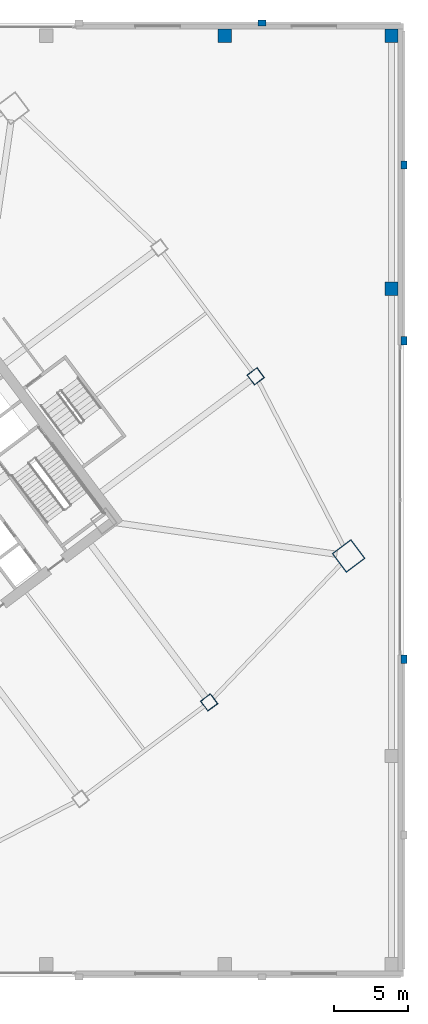
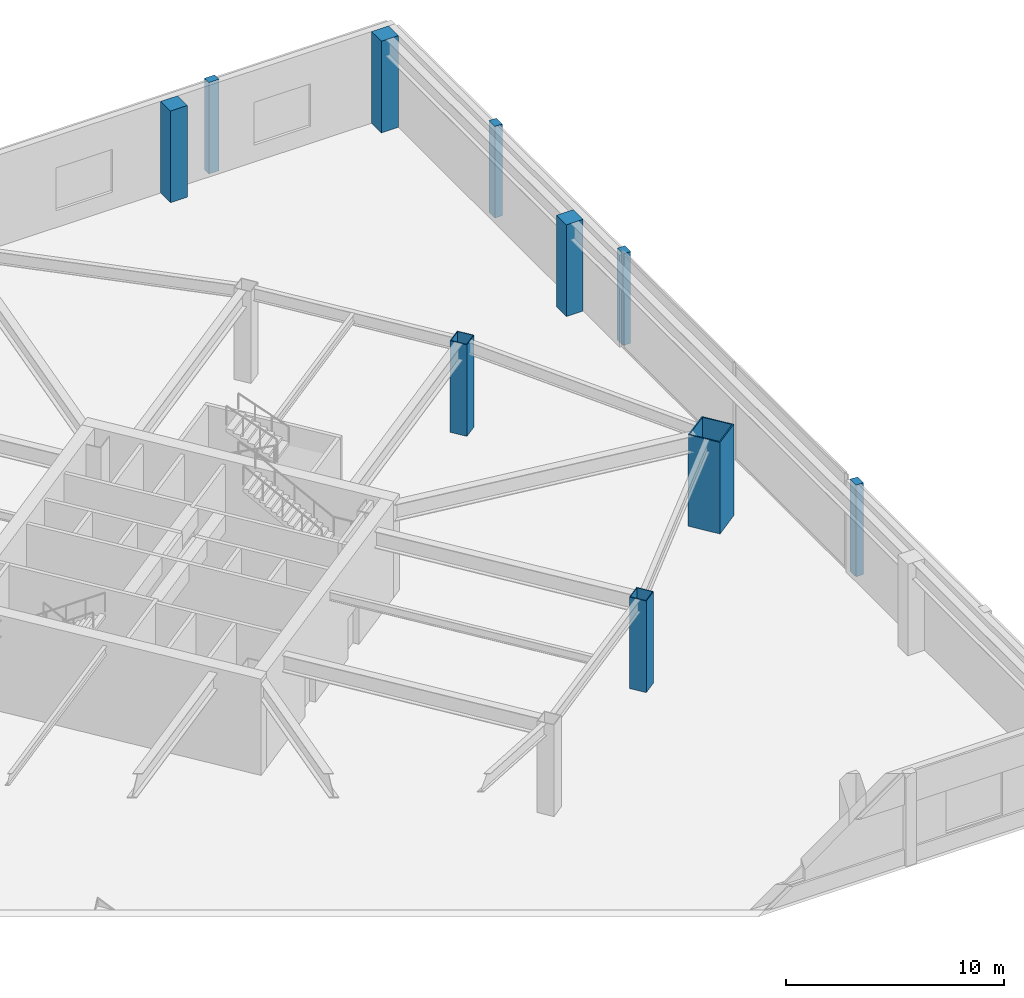
# One storey, part 4 of 48: 10 columns.
"""IFC4 building model written with IfcOpenShell, lengths in metres."""

from ifc_helpers import new_model, si_unit, direction, frame, origin, origin_2d, place, context, subcontext, project, spatial, rectangle, hollow_rectangle, extrude, material, material_profile, profile_set, type_object, element, save


model = new_model("IFC4")

# Units and contexts
model_context = context("Model", 3, precision=1e-05, world=origin(), true_north=direction((0.0, 1.0)))
body_context = subcontext(model_context, "Body", "Model", "MODEL_VIEW")
ifc_project = project(units=[si_unit("LENGTHUNIT", "METRE"), si_unit("AREAUNIT", "SQUARE_METRE"), si_unit("VOLUMEUNIT", "CUBIC_METRE"), si_unit("PLANEANGLEUNIT", "RADIAN"), si_unit("MASSUNIT", "GRAM", prefix="KILO")], contexts=[model_context])

# Site, building, storey
site_placement = place(None, origin())
site = spatial("IfcSite", under=ifc_project, at=site_placement, CompositionType="ELEMENT")
building_placement = place(site_placement, origin())
building = spatial("IfcBuilding", under=site, at=building_placement, Name="Tashvorn Skyway Center", CompositionType="ELEMENT")
storey_placement = place(building_placement, frame((0.0, 0.0, 10.199951171875)))
storey = spatial("IfcBuildingStorey", under=building, at=storey_placement, Name="L02", CompositionType="ELEMENT", Elevation=10.199951171875)

# Columns
ifc_material_1 = material(Name="Steel ASTM A572 Grade 50", Category="steel")
ifc_material_profile_1 = material_profile(ifc_material_1, hollow_rectangle(XDim=1.60009765625, YDim=1.60009765625, WallThickness=0.06005859375, at=origin_2d()), Name="BOX1600x1600x60")
ifc_profile_set_1 = profile_set([ifc_material_profile_1], Name="Steel ASTM A572 Grade 50")
column_type_1 = type_object("IfcColumnType", Name="COL-BOX1600x1600x60", PredefinedType="COLUMN", material=ifc_profile_set_1)
column_placement = place(storey_placement, frame((140.320068359375, 28.239990234375, 0.0), z_axis=(0.0, 0.0, 1.0), x_axis=(0.799999996291, 0.600000004945, 0.0)))
element("IfcColumn", 1, at=column_placement, inside=storey, type_object=column_type_1, Name="Tower 2 L02 Mega-Column MC-SE", PredefinedType="COLUMN", context=body_context, shape_type="SweptSolid", body=[
    extrude(hollow_rectangle(XDim=1.60009765625, YDim=1.60009765625, WallThickness=0.06005859375, at=origin_2d()), origin(), (0.0, 0.0, 1.0), 5.14013671875),
])
ifc_material_profile_2 = material_profile(ifc_material_1, hollow_rectangle(XDim=0.85009765625, YDim=0.85009765625, WallThickness=0.034912109375, at=origin_2d()), Name="BOX850x850x35")
ifc_profile_set_2 = profile_set([ifc_material_profile_2], Name="Steel ASTM A572 Grade 50")
column_type_2 = type_object("IfcColumnType", Name="COL-BOX850x850x35", PredefinedType="COLUMN", material=ifc_profile_set_2)
for number, where, z_axis, x_axis, name in (
    (2, (130.949951171875, 18.39990234375, 0.0), (0.0, 0.0, 1.0), (0.799999996291, 0.600000004945, 0.0), "Tower 2 L02 Perimeter Column FC-S2"),
    (3, (134.080078125, 40.31005859375, 0.0), (0.0, 0.0, 1.0), (0.799999996291, 0.600000004945, 0.0), "Tower 2 L02 Perimeter Column FC-E1"),
):
    element("IfcColumn", number, at=place(storey_placement, frame(where, z_axis=z_axis, x_axis=x_axis)), inside=storey, type_object=column_type_2, Name=name, PredefinedType="COLUMN", context=body_context, shape_type="SweptSolid", body=[
        extrude(hollow_rectangle(XDim=0.85009765625, YDim=0.85009765625, WallThickness=0.034912109375, at=origin_2d()), origin(), (0.0, 0.0, 1.0), 5.14013671875),
    ])
ifc_material_2 = material(Name="Concrete C50/60", Category="concrete")
ifc_material_profile_3 = material_profile(ifc_material_2, rectangle(XDim=0.89990234375, YDim=0.89990234375, at=origin_2d()), Name="RC900x900")
ifc_profile_set_3 = profile_set([ifc_material_profile_3], Name="Concrete C50/60")
column_type_3 = type_object("IfcColumnType", Name="COL-RC900x900", PredefinedType="COLUMN", material=ifc_profile_set_3)
for number, where, z_axis, x_axis, name in (
    (4, (132.0, 63.199951171875, 0.0), (0.0, 0.0, 1.0), (1.0, 0.0, 0.0), "L02 Podium Column PC-09-2"),
    (5, (143.199951171875, 63.199951171875, 0.0), (0.0, 0.0, 1.0), (1.0, 0.0, 0.0), "L02 Podium Column PC-10-2"),
    (6, (143.199951171875, 46.199951171875, 0.0), (0.0, 0.0, 1.0), (1.0, 0.0, 0.0), "L02 Podium Column PIC-06-2"),
):
    element("IfcColumn", number, at=place(storey_placement, frame(where, z_axis=z_axis, x_axis=x_axis)), inside=storey, type_object=column_type_3, Name=name, PredefinedType="COLUMN", context=body_context, shape_type="SweptSolid", body=[
        extrude(rectangle(XDim=0.89990234375, YDim=0.89990234375, at=origin_2d()), origin(), (0.0, 0.0, 1.0), 5.14013671875),
    ])
ifc_material_3 = material(Name="Precast concrete C40/50", Category="concrete")
ifc_material_profile_4 = material_profile(ifc_material_3, rectangle(XDim=0.550048828125, YDim=0.39990234375, at=origin_2d()), Name="RCPIL550x400")
ifc_profile_set_4 = profile_set([ifc_material_profile_4], Name="Precast concrete C40/50")
column_type_4 = type_object("IfcColumnType", Name="PIL-RCPIL550x400", PredefinedType="PILASTER", material=ifc_profile_set_4)
for number, where, z_axis, x_axis, name in (
    (7, (134.5, 64.050048828125, 0.0), (0.0, 0.0, 1.0), (1.0, 0.0, 0.0), "L02 North Terracotta Colonnade Pilaster 9"),
    (8, (144.050048828125, 21.300048828125, 0.0), (0.0, 0.0, 1.0), (0.0, 1.0, 0.0), "L02 East Terracotta Colonnade Pilaster 2"),
    (9, (144.050048828125, 42.699951171875, 0.0), (0.0, 0.0, 1.0), (0.0, 1.0, 0.0), "L02 East Terracotta Colonnade Pilaster 3"),
    (10, (144.050048828125, 54.5, 0.0), (0.0, 0.0, 1.0), (0.0, 1.0, 0.0), "L02 East Terracotta Colonnade Pilaster 4"),
):
    element("IfcColumn", number, at=place(storey_placement, frame(where, z_axis=z_axis, x_axis=x_axis)), inside=storey, type_object=column_type_4, Name=name, PredefinedType="PILASTER", context=body_context, shape_type="SweptSolid", body=[
        extrude(rectangle(XDim=0.550048828125, YDim=0.39990234375, at=origin_2d()), origin(), (0.0, 0.0, 1.0), 5.14013671875),
    ])

save(model, "model.ifc")
